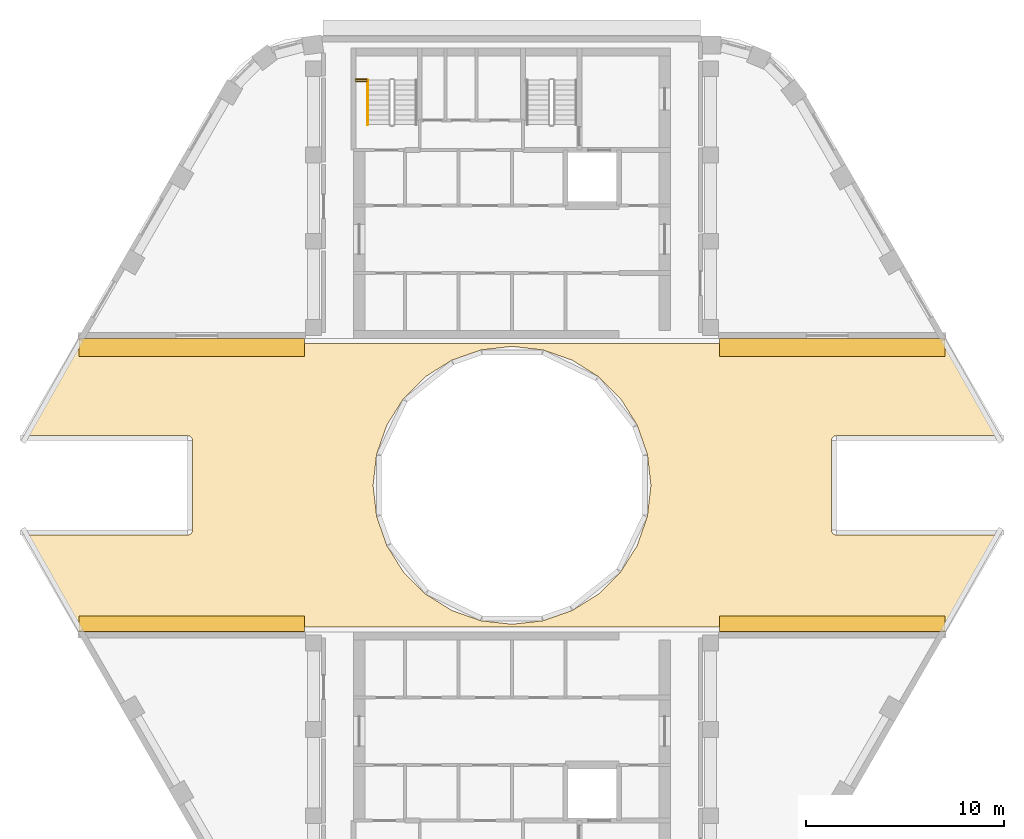
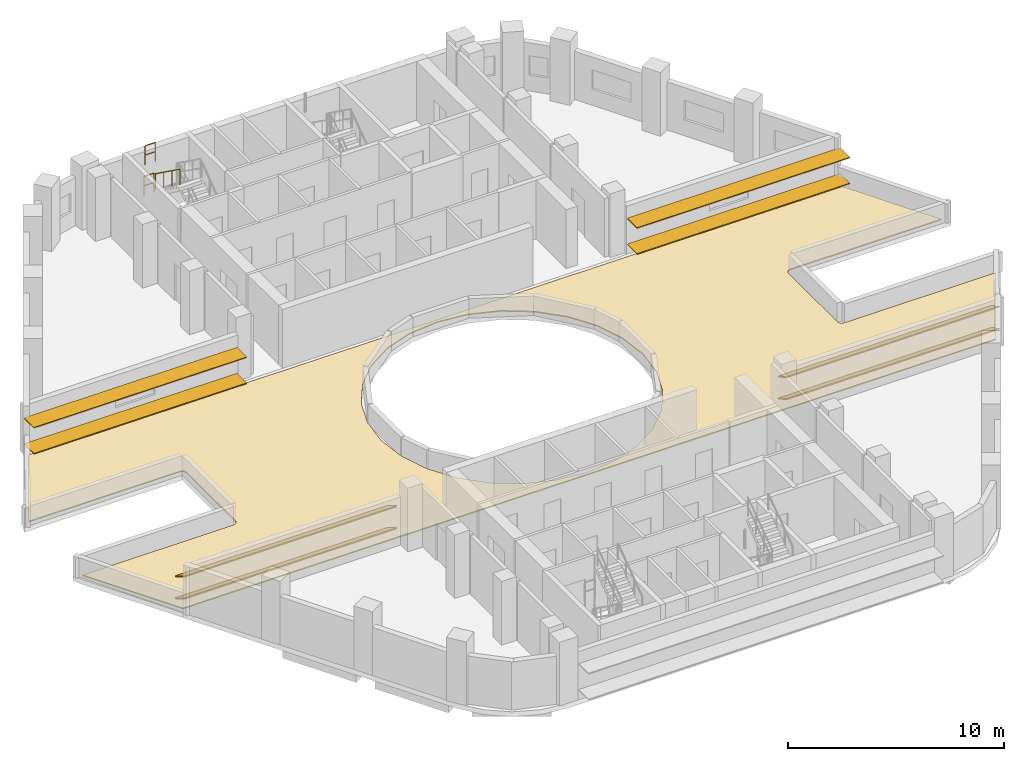
# One storey, part 8 of 9: 8 shading devices, 3 railings, 1 covering.
"""IFC4 building model written with IfcOpenShell, lengths in metres."""

from ifc_helpers import new_model, si_unit, direction, frame, origin, origin_2d, place, context, subcontext, project, spatial, polyline, rectangle, circle, outline, extrude, material, layer, layer_set, material_profile, profile_set, type_object, element, save


model = new_model("IFC4")

# Units and contexts
model_context = context("Model", 3, precision=1e-05, world=origin(), true_north=direction((0.0, 1.0)))
body_context = subcontext(model_context, "Body", "Model", "MODEL_VIEW")
ifc_project = project(units=[si_unit("LENGTHUNIT", "METRE"), si_unit("AREAUNIT", "SQUARE_METRE"), si_unit("VOLUMEUNIT", "CUBIC_METRE"), si_unit("PLANEANGLEUNIT", "RADIAN"), si_unit("MASSUNIT", "GRAM", prefix="KILO")], contexts=[model_context])

# Site, building, storey
site_placement = place(None, origin())
site = spatial("IfcSite", under=ifc_project, at=site_placement, CompositionType="ELEMENT")
building_placement = place(site_placement, origin())
building = spatial("IfcBuilding", under=site, at=building_placement, Name="Nakaniwa Court", CompositionType="ELEMENT")
storey_placement = place(building_placement, frame((0.0, 0.0, 276.0)))
storey = spatial("IfcBuildingStorey", under=building, at=storey_placement, Name="C02", CompositionType="ELEMENT", Elevation=276.0)

# Covering
ifc_material_1 = material(Name="Charcoal ceramic paver")
ifc_layer_1 = layer(ifc_material_1, 0.025, Name="Ceramic paver")
ifc_material_2 = material(Name="Cement sand mortar")
ifc_layer_2 = layer(ifc_material_2, 0.025, Name="Mortar bed")
ifc_material_3 = material(Name="Drainage protection mat")
ifc_layer_3 = layer(ifc_material_3, 0.01, Name="Protection and drainage layer")
ifc_layer_set = layer_set([ifc_layer_1, ifc_layer_2, ifc_layer_3], Name="Charcoal ceramic paver roof covering on insulation")
covering_type = type_object("IfcCoveringType", Name="Black ceramic roof covering", PredefinedType="ROOFING", material=ifc_layer_set)
covering_placement = place(storey_placement, origin())
element("IfcCovering", 1, at=covering_placement, inside=storey, type_object=covering_type, Name="C01 roof covering, lower roof 1", PredefinedType="ROOFING", context=body_context, shape_type="SweptSolid", body=[
    extrude(outline(polyline([(55.578125, 77.5), (63.650390625, 77.5), (63.675048828125, 77.501220703125), (63.69921875, 77.5048828125), (63.72314453125, 77.5107421875), (63.74609375, 77.51904296875), (63.768310546875, 77.529541015625), (63.789306640625, 77.542236328125), (63.80908203125, 77.556640625), (63.827392578125, 77.5732421875), (63.84375, 77.59130859375), (63.8583984375, 77.611083984375), (63.87109375, 77.632080078125), (63.881591796875, 77.654296875), (63.8896484375, 77.677490234375), (63.895751953125, 77.701171875), (63.8994140625, 77.7255859375), (63.900390625, 77.75), (63.900390625, 82.25), (63.8994140625, 82.2744140625), (63.895751953125, 82.298828125), (63.8896484375, 82.322509765625), (63.881591796875, 82.345703125), (63.87109375, 82.367919921875), (63.8583984375, 82.388916015625), (63.84375, 82.40869140625), (63.827392578125, 82.4267578125), (63.80908203125, 82.443359375), (63.789306640625, 82.457763671875), (63.768310546875, 82.470458984375), (63.74609375, 82.48095703125), (63.72314453125, 82.4892578125), (63.69921875, 82.4951171875), (63.675048828125, 82.498779296875), (63.650390625, 82.5), (55.578125, 82.5), (58.2626953125, 87.14990234375), (101.7373046875, 87.14990234375), (104.421875, 82.5), (96.349609375, 82.5), (96.324951171875, 82.498779296875), (96.30078125, 82.4951171875), (96.27685546875, 82.4892578125), (96.25390625, 82.48095703125), (96.231689453125, 82.470458984375), (96.210693359375, 82.457763671875), (96.19091796875, 82.443359375), (96.172607421875, 82.4267578125), (96.15625, 82.40869140625), (96.1416015625, 82.388916015625), (96.12890625, 82.367919921875), (96.118408203125, 82.345703125), (96.1103515625, 82.322509765625), (96.104248046875, 82.298828125), (96.1005859375, 82.2744140625), (96.099609375, 82.25), (96.099609375, 77.75), (96.1005859375, 77.7255859375), (96.104248046875, 77.701171875), (96.1103515625, 77.677490234375), (96.118408203125, 77.654296875), (96.12890625, 77.632080078125), (96.1416015625, 77.611083984375), (96.15625, 77.59130859375), (96.172607421875, 77.5732421875), (96.19091796875, 77.556640625), (96.210693359375, 77.542236328125), (96.231689453125, 77.529541015625), (96.25390625, 77.51904296875), (96.27685546875, 77.5107421875), (96.30078125, 77.5048828125), (96.324951171875, 77.501220703125), (96.349609375, 77.5), (104.421875, 77.5), (101.7373046875, 72.85009765625), (58.2626953125, 72.85009765625), (55.578125, 77.5)]), holes=[polyline([(86.3173828125, 83.01123046875), (86.306640625, 83.037109375), (86.293212890625, 83.061767578125), (85.489013671875, 84.341552734375), (85.472900390625, 84.364501953125), (85.4541015625, 84.385498046875), (84.385498046875, 85.4541015625), (84.364501953125, 85.472900390625), (84.341552734375, 85.489013671875), (83.061767578125, 86.293212890625), (83.037109375, 86.306640625), (83.01123046875, 86.3173828125), (81.58447265625, 86.816650390625), (81.5576171875, 86.824462890625), (81.530029296875, 86.829345703125), (80.028076171875, 86.99853515625), (80.0, 87.0), (79.971923828125, 86.99853515625), (78.469970703125, 86.829345703125), (78.4423828125, 86.824462890625), (78.41552734375, 86.816650390625), (76.98876953125, 86.3173828125), (76.962890625, 86.306640625), (76.938232421875, 86.293212890625), (75.658447265625, 85.489013671875), (75.635498046875, 85.472900390625), (75.614501953125, 85.4541015625), (74.5458984375, 84.385498046875), (74.527099609375, 84.364501953125), (74.510986328125, 84.341552734375), (73.706787109375, 83.061767578125), (73.693359375, 83.037109375), (73.6826171875, 83.01123046875), (73.183349609375, 81.58447265625), (73.175537109375, 81.5576171875), (73.170654296875, 81.530029296875), (73.00146484375, 80.028076171875), (73.0, 80.0), (73.00146484375, 79.971923828125), (73.170654296875, 78.469970703125), (73.175537109375, 78.4423828125), (73.183349609375, 78.41552734375), (73.6826171875, 76.98876953125), (73.693359375, 76.962890625), (73.706787109375, 76.938232421875), (74.510986328125, 75.658447265625), (74.527099609375, 75.635498046875), (74.5458984375, 75.614501953125), (75.614501953125, 74.5458984375), (75.635498046875, 74.527099609375), (75.658447265625, 74.510986328125), (76.938232421875, 73.706787109375), (76.962890625, 73.693359375), (76.98876953125, 73.6826171875), (78.41552734375, 73.183349609375), (78.4423828125, 73.175537109375), (78.469970703125, 73.170654296875), (79.971923828125, 73.00146484375), (80.0, 73.0), (80.028076171875, 73.00146484375), (81.530029296875, 73.170654296875), (81.5576171875, 73.175537109375), (81.58447265625, 73.183349609375), (83.01123046875, 73.6826171875), (83.037109375, 73.693359375), (83.061767578125, 73.706787109375), (84.341552734375, 74.510986328125), (84.364501953125, 74.527099609375), (84.385498046875, 74.5458984375), (85.4541015625, 75.614501953125), (85.472900390625, 75.635498046875), (85.489013671875, 75.658447265625), (86.293212890625, 76.938232421875), (86.306640625, 76.962890625), (86.3173828125, 76.98876953125), (86.816650390625, 78.41552734375), (86.824462890625, 78.4423828125), (86.829345703125, 78.469970703125), (86.99853515625, 79.971923828125), (87.0, 80.0), (86.99853515625, 80.028076171875), (86.829345703125, 81.530029296875), (86.824462890625, 81.5576171875), (86.816650390625, 81.58447265625), (86.3173828125, 83.01123046875)])]), origin(), (0.0, 0.0, 1.0), 0.06005859375),
])

# Shading devices
ifc_material_4 = material(Name="Perforated charcoal ceramic louvre blade")
ifc_material_profile = material_profile(ifc_material_4, rectangle(XDim=0.89990234375, YDim=0.050048828125, at=origin_2d()), Name="Perforated ceramic louvre blade")
ifc_profile_set = profile_set([ifc_material_profile], Name="Perforated charcoal ceramic louvre blade")
shading_device_type = type_object("IfcShadingDeviceType", Name="Perforated ceramic louvre blade", PredefinedType="JALOUSIE", material=ifc_profile_set)
for number, where, z_axis, x_axis, name in (
    (2, (101.83154296875, 73.002197265625, 0.550048828125), (-1.0, 0.0, 0.0), (0.0, -0.866025403784, 0.5), "C02 perforated ceramic louvre blade w03 1"),
    (3, (101.83154296875, 73.002197265625, 1.793212890625), (-1.0, 0.0, 0.0), (0.0, -0.866025403784, 0.5), "C02 perforated ceramic louvre blade w03 2"),
    (4, (69.553955078125, 73.002197265625, 0.550048828125), (-1.0, 0.0, 0.0), (0.0, -0.866025403784, 0.5), "C02 perforated ceramic louvre blade w04 1"),
    (5, (69.553955078125, 73.002197265625, 1.793212890625), (-1.0, 0.0, 0.0), (0.0, -0.866025403784, 0.5), "C02 perforated ceramic louvre blade w04 2"),
    (6, (58.16845703125, 86.949951171875, 0.550048828125), (1.0, 0.0, 0.0), (0.0, 1.0, 0.0), "C02 perforated ceramic louvre blade w16 1"),
    (7, (58.16845703125, 86.949951171875, 2.014892578125), (1.0, 0.0, 0.0), (0.0, 1.0, 0.0), "C02 perforated ceramic louvre blade w16 2"),
    (8, (90.446044921875, 86.949951171875, 0.550048828125), (1.0, 0.0, 0.0), (0.0, 1.0, 0.0), "C02 perforated ceramic louvre blade w17 1"),
    (9, (90.446044921875, 86.949951171875, 2.014892578125), (1.0, 0.0, 0.0), (0.0, 1.0, 0.0), "C02 perforated ceramic louvre blade w17 2"),
):
    element("IfcShadingDevice", number, at=place(storey_placement, frame(where, z_axis=z_axis, x_axis=x_axis)), inside=storey, type_object=shading_device_type, Name=name, PredefinedType="JALOUSIE", context=body_context, shape_type="SweptSolid", body=[
        extrude(rectangle(XDim=0.89990234375, YDim=0.050048828125, at=origin_2d()), origin(), (0.0, 0.0, 1.0), 11.385498046875),
    ])

# Railings
ifc_material_5 = material(Name="Black powder coated steel guard", Category="steel")
railing_type_1 = type_object("IfcRailingType", Name="Stair guard 1100", PredefinedType="GUARDRAIL", material=ifc_material_5)
for number, where, name in (
    (10, (72.125, 100.47509765625, 1.800048828125), "C02 ST1 landing side guard 1W"),
    (11, (72.125, 100.375, 3.60009765625), "C02 ST1 floor edge guard 1W"),
):
    element("IfcRailing", number, at=place(storey_placement, frame(where)), inside=storey, type_object=railing_type_1, Name=name, PredefinedType="GUARDRAIL", context=body_context, shape_type="SweptSolid", body=[
        extrude(circle(Radius=0.02392578125, at=origin_2d()), frame((0.0, 0.0, 1.076171875), z_axis=(1.0, 0.0, 0.0), x_axis=(0.0, 1.0, 0.0)), (0.0, 0.0, 1.0), 0.550048828125),
        extrude(circle(Radius=0.02392578125, at=origin_2d()), frame((0.0, 0.0, 0.550048828125), z_axis=(1.0, 0.0, 0.0), x_axis=(0.0, 1.0, 0.0)), (0.0, 0.0, 1.0), 0.550048828125),
        extrude(circle(Radius=0.02099609375, at=origin_2d()), origin(), (0.0, 0.0, 1.0), 1.052001953125),
        extrude(circle(Radius=0.02099609375, at=origin_2d()), frame((0.550048828125, 0.0, 0.0)), (0.0, 0.0, 1.0), 1.052001953125),
    ])
ifc_material_6 = material(Name="Black powder coated steel handrail", Category="steel")
railing_type_2 = type_object("IfcRailingType", Name="Stair handrail 900", PredefinedType="HANDRAIL", material=ifc_material_6)
railing_placement = place(storey_placement, frame((72.72509765625, 100.425048828125, 1.97998046875)))
element("IfcRailing", 12, at=railing_placement, inside=storey, type_object=railing_type_2, Name="C02 ST1 stair handrail 2", PredefinedType="HANDRAIL", context=body_context, shape_type="SweptSolid", body=[
    extrude(circle(Radius=0.02392578125, at=origin_2d()), frame((0.0, 0.0, 0.8759765625), z_axis=(0.0, -0.811514298965, 0.584332561625), x_axis=(1.0, 0.0, 0.0)), (0.0, 0.0, 1.0), 2.772705078125),
    extrude(circle(Radius=0.02099609375, at=origin_2d()), origin(), (0.0, 0.0, 1.0), 0.851806640625),
    extrude(circle(Radius=0.02099609375, at=origin_2d()), frame((0.0, -0.75, 0.5400390625)), (0.0, 0.0, 1.0), 0.851806640625),
    extrude(circle(Radius=0.02099609375, at=origin_2d()), frame((0.0, -1.5, 1.080078125)), (0.0, 0.0, 1.0), 0.851806640625),
    extrude(circle(Radius=0.02099609375, at=origin_2d()), frame((0.0, -2.25, 1.6201171875)), (0.0, 0.0, 1.0), 0.851806640625),
])

save(model, "model.ifc")
